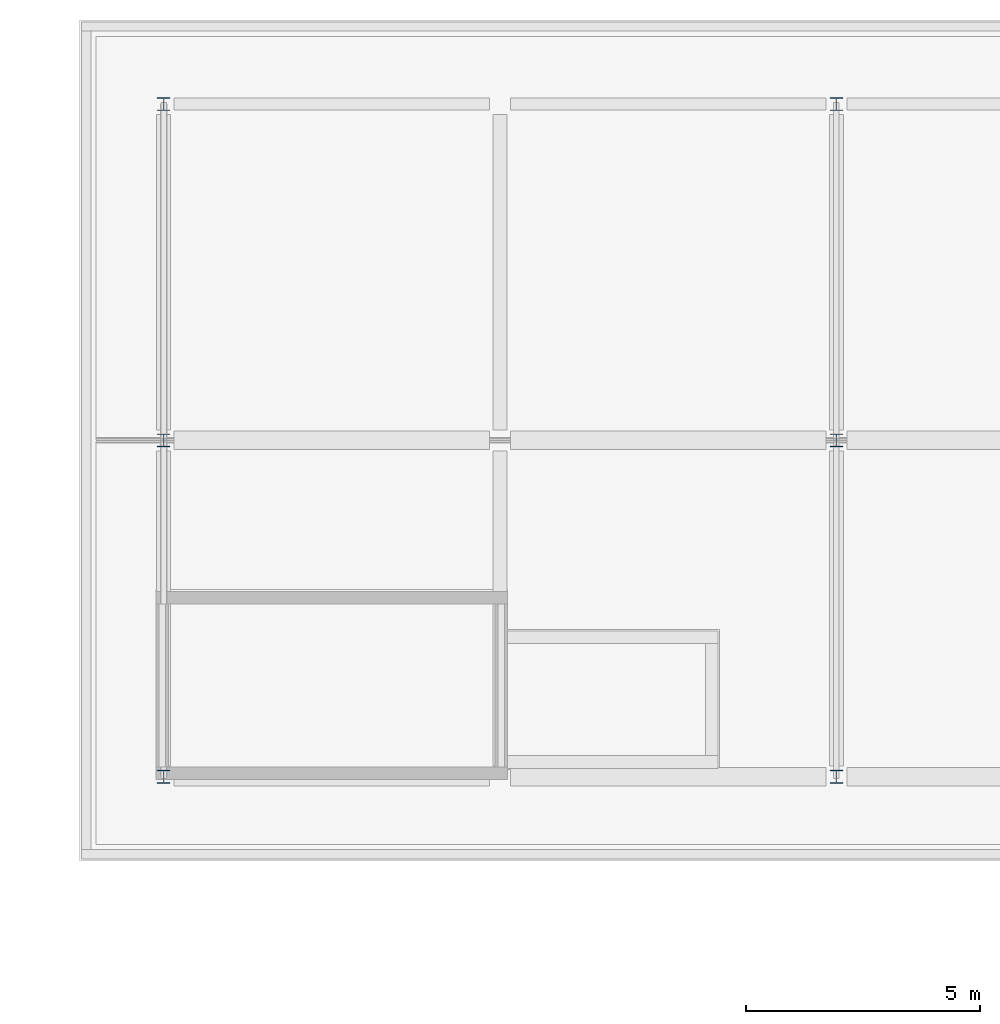
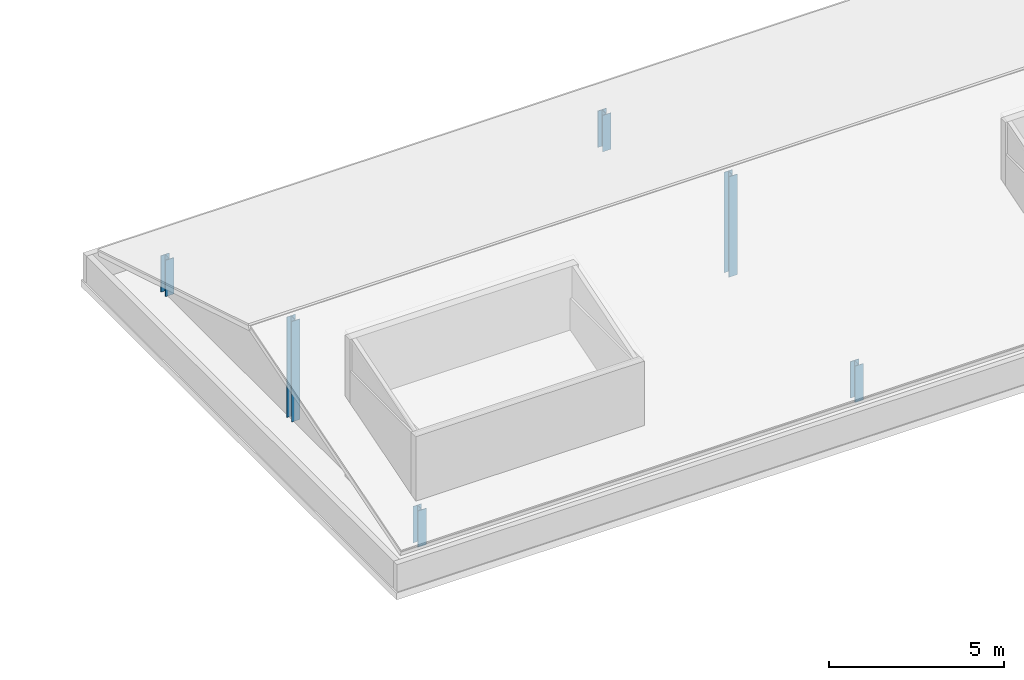
# One storey, part 2 of 19: 6 columns.
"""IFC4 building model written with IfcOpenShell, lengths in metres."""

from ifc_helpers import new_model, si_unit, direction, frame, origin, origin_2d, place, context, subcontext, project, spatial, i_section, extrude, material, material_profile, profile_set, type_object, element, save


model = new_model("IFC4")

# Units and contexts
model_context = context("Model", 3, precision=1e-05, world=origin(), true_north=direction((0.0, 1.0)))
body_context = subcontext(model_context, "Body", "Model", "MODEL_VIEW")
ifc_project = project(units=[si_unit("LENGTHUNIT", "METRE"), si_unit("AREAUNIT", "SQUARE_METRE"), si_unit("VOLUMEUNIT", "CUBIC_METRE"), si_unit("PLANEANGLEUNIT", "RADIAN"), si_unit("MASSUNIT", "GRAM", prefix="KILO")], contexts=[model_context])

# Site, building, storey
site_placement = place(None, origin())
site = spatial("IfcSite", under=ifc_project, at=site_placement, CompositionType="ELEMENT")
building_placement = place(site_placement, origin())
building = spatial("IfcBuilding", under=site, at=building_placement, Name="Suanplinth Sawtooth Commons", CompositionType="ELEMENT")
storey_placement = place(building_placement, frame((0.0, 0.0, 44.39990234375)))
storey = spatial("IfcBuildingStorey", under=building, at=storey_placement, Name="L13", CompositionType="ELEMENT", Elevation=44.39990234375)

# Columns
ifc_material = material(Name="Steel S355JR", Category="steel")
ifc_material_profile = material_profile(ifc_material, i_section(OverallWidth=0.280029296875, OverallDepth=0.280029296875, WebThickness=0.010498046875, FlangeThickness=0.01806640625, at=origin_2d()), Name="HEB 280")
ifc_profile_set = profile_set([ifc_material_profile], Name="Steel S355JR")
column_type = type_object("IfcColumnType", Name="C-11", PredefinedType="COLUMN", material=ifc_profile_set)
column_1_placement = place(storey_placement, frame((136.800048828125, 108.0, 0.0), z_axis=(0.0, 0.0, 1.0), x_axis=(1.0, 0.0, 0.0)))
element("IfcColumn", 1, at=column_1_placement, inside=storey, type_object=column_type, Name="Crown Post B 20", PredefinedType="COLUMN", context=body_context, shape_type="SweptSolid", body=[
    extrude(i_section(OverallWidth=0.280029296875, OverallDepth=0.280029296875, WebThickness=0.010498046875, FlangeThickness=0.01806640625, at=origin_2d()), origin(), (0.0, 0.0, 1.0), 1.27001953125),
])
column_2_placement = place(storey_placement, frame((136.800048828125, 115.199951171875, 0.0), z_axis=(0.0, 0.0, 1.0), x_axis=(1.0, 0.0, 0.0)))
element("IfcColumn", 2, at=column_2_placement, inside=storey, type_object=column_type, Name="Crown Post B 20", PredefinedType="COLUMN", context=body_context, shape_type="SweptSolid", body=[
    extrude(i_section(OverallWidth=0.280029296875, OverallDepth=0.280029296875, WebThickness=0.010498046875, FlangeThickness=0.01806640625, at=origin_2d()), origin(), (0.0, 0.0, 1.0), 3.5),
])
for number, where, z_axis, x_axis, name in (
    (3, (136.800048828125, 122.39990234375, 0.0), (0.0, 0.0, 1.0), (1.0, 0.0, 0.0), "Crown Post B 20"),
    (4, (151.199951171875, 108.0, 0.0), (0.0, 0.0, 1.0), (1.0, 0.0, 0.0), "Crown Post B 22"),
):
    element("IfcColumn", number, at=place(storey_placement, frame(where, z_axis=z_axis, x_axis=x_axis)), inside=storey, type_object=column_type, Name=name, PredefinedType="COLUMN", context=body_context, shape_type="SweptSolid", body=[
        extrude(i_section(OverallWidth=0.280029296875, OverallDepth=0.280029296875, WebThickness=0.010498046875, FlangeThickness=0.01806640625, at=origin_2d()), origin(), (0.0, 0.0, 1.0), 1.27001953125),
    ])
column_3_placement = place(storey_placement, frame((151.199951171875, 115.199951171875, 0.0), z_axis=(0.0, 0.0, 1.0), x_axis=(1.0, 0.0, 0.0)))
element("IfcColumn", 5, at=column_3_placement, inside=storey, type_object=column_type, Name="Crown Post B 22", PredefinedType="COLUMN", context=body_context, shape_type="SweptSolid", body=[
    extrude(i_section(OverallWidth=0.280029296875, OverallDepth=0.280029296875, WebThickness=0.010498046875, FlangeThickness=0.01806640625, at=origin_2d()), origin(), (0.0, 0.0, 1.0), 3.5),
])
column_4_placement = place(storey_placement, frame((151.199951171875, 122.39990234375, 0.0), z_axis=(0.0, 0.0, 1.0), x_axis=(1.0, 0.0, 0.0)))
element("IfcColumn", 6, at=column_4_placement, inside=storey, type_object=column_type, Name="Crown Post B 22", PredefinedType="COLUMN", context=body_context, shape_type="SweptSolid", body=[
    extrude(i_section(OverallWidth=0.280029296875, OverallDepth=0.280029296875, WebThickness=0.010498046875, FlangeThickness=0.01806640625, at=origin_2d()), origin(), (0.0, 0.0, 1.0), 1.27001953125),
])

save(model, "model.ifc")
